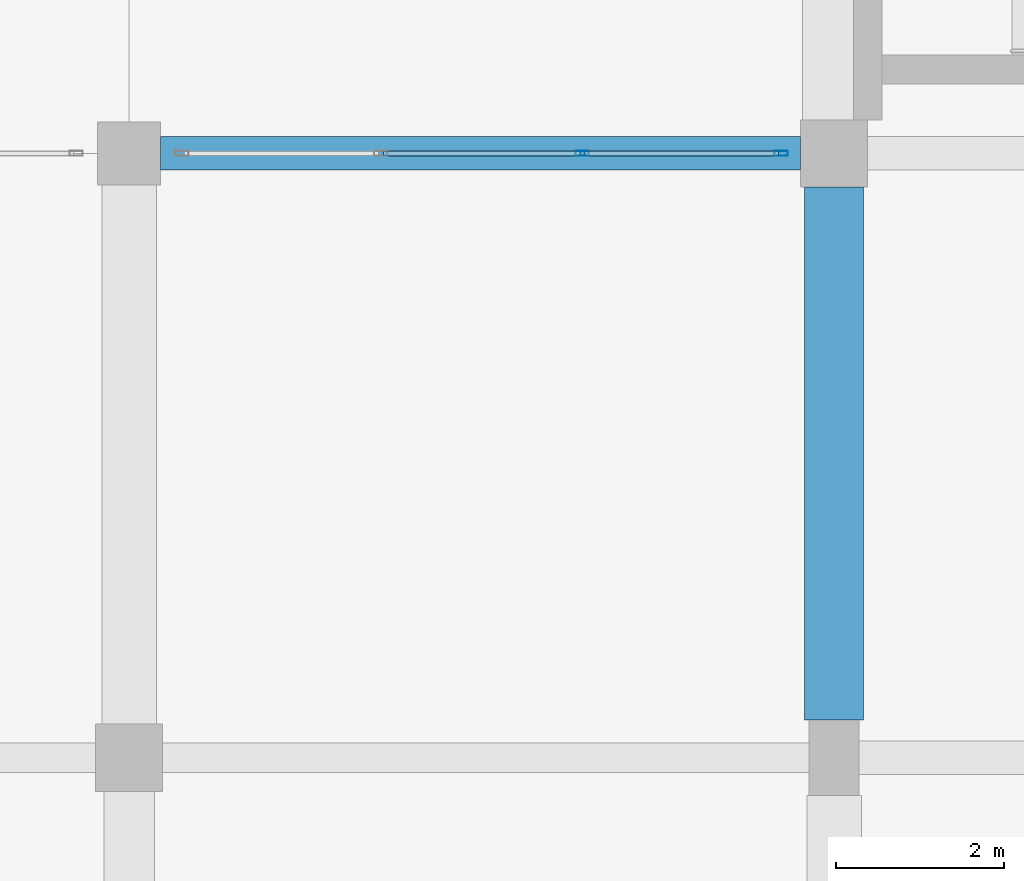
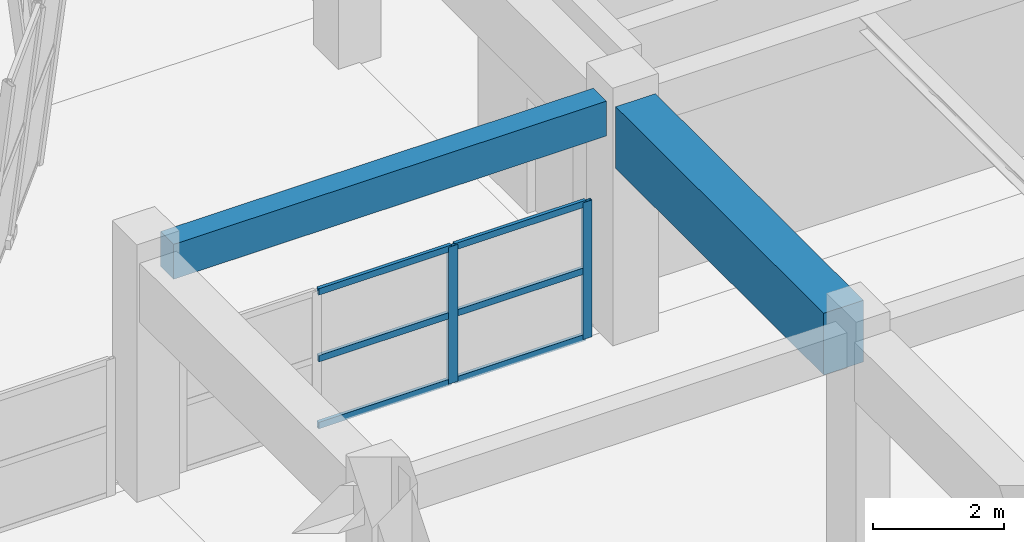
# One storey, part 26 of 72: 8 members, 2 beams, 1 element without a shape of its own.
"""IFC4 building model written with IfcOpenShell, lengths in metres."""

from ifc_helpers import new_model, si_unit, direction, frame, origin, origin_2d, place, context, subcontext, project, spatial, rectangle, hollow_rectangle, extrude, material, material_profile, profile_set, type_object, element, aggregate, save


model = new_model("IFC4")

# Units and contexts
model_context = context("Model", 3, precision=1e-05, world=origin(), true_north=direction((0.0, 1.0)))
body_context = subcontext(model_context, "Body", "Model", "MODEL_VIEW")
ifc_project = project(units=[si_unit("LENGTHUNIT", "METRE"), si_unit("AREAUNIT", "SQUARE_METRE"), si_unit("VOLUMEUNIT", "CUBIC_METRE"), si_unit("PLANEANGLEUNIT", "RADIAN"), si_unit("MASSUNIT", "GRAM", prefix="KILO")], contexts=[model_context])

# Site, building, storey
site_placement = place(None, origin())
site = spatial("IfcSite", under=ifc_project, at=site_placement, CompositionType="ELEMENT")
building_placement = place(site_placement, origin())
building = spatial("IfcBuilding", under=site, at=building_placement, Name="Korsvaeld Concert Hall", CompositionType="ELEMENT")
storey_placement = place(building_placement, origin())
storey = spatial("IfcBuildingStorey", under=building, at=storey_placement, Name="L00", CompositionType="ELEMENT", Elevation=0.0)

# Beams
ifc_material_1 = material(Name="Concrete C35/45", Category="concrete")
ifc_material_profile_1 = material_profile(ifc_material_1, rectangle(XDim=0.39990234375, YDim=0.64990234375, at=origin_2d()), Name="RC 400x650")
ifc_profile_set_1 = profile_set([ifc_material_profile_1], Name="Concrete C35/45")
beam_type_1 = type_object("IfcBeamType", Name="BM-RC-400x650", PredefinedType="T_BEAM", material=ifc_profile_set_1)
beam_1_placement = place(storey_placement, frame((101.175048828125, 43.199951171875, 4.114990234375), z_axis=(1.0, 0.0, 0.0), x_axis=(0.0, 1.0, 0.0)))
element("IfcBeam", 1, at=beam_1_placement, inside=storey, type_object=beam_type_1, Name="Primary girder 14-15/G L00", PredefinedType="T_BEAM", context=body_context, shape_type="SweptSolid", body=[
    extrude(rectangle(XDim=0.39990234375, YDim=0.64990234375, at=origin_2d()), origin(), (0.0, 0.0, 1.0), 7.625),
])
ifc_material_2 = material(Name="Concrete C40/50", Category="concrete")
ifc_material_profile_2 = material_profile(ifc_material_2, rectangle(XDim=0.699951171875, YDim=1.14990234375, at=origin_2d()), Name="RC 700x1150")
ifc_profile_set_2 = profile_set([ifc_material_profile_2], Name="Concrete C40/50")
beam_type_2 = type_object("IfcBeamType", Name="BM-RC-700x1150", PredefinedType="T_BEAM", material=ifc_profile_set_2)
beam_2_placement = place(storey_placement, frame((109.199951171875, 36.449951171875, 3.864990234375), z_axis=(0.0, 1.0, 0.0), x_axis=(-1.0, 0.0, 0.0)))
element("IfcBeam", 2, at=beam_2_placement, inside=storey, type_object=beam_type_2, Name="Primary girder 15/F-G L00", PredefinedType="T_BEAM", context=body_context, shape_type="SweptSolid", body=[
    extrude(rectangle(XDim=0.699951171875, YDim=1.14990234375, at=origin_2d()), origin(), (0.0, 0.0, 1.0), 6.35009765625),
])

# Curtain wall, members
ifc_material_3 = material(Name="Anodised bronze and ceramic-fritted safety glass", Category="glass")
curtain_wall_type = type_object("IfcCurtainWallType", Name="CW-TYPE-08", PredefinedType="USERDEFINED", material=ifc_material_3)
curtain_wall_placement = place(storey_placement, origin())
curtain_wall = element("IfcCurtainWall", 3, at=curtain_wall_placement, inside=storey, type_object=curtain_wall_type, Name="Glazed foyer acoustic screen L00-24", ObjectType="CURTAIN WALL", PredefinedType="USERDEFINED")
ifc_material_4 = material(Name="Anodised architectural bronze aluminium", Category="aluminium")
ifc_material_profile_3 = material_profile(ifc_material_4, hollow_rectangle(XDim=0.06005859375, YDim=0.159912109375, WallThickness=0.00390625, at=origin_2d()), Name="CWM 160x60x4")
ifc_profile_set_3 = profile_set([ifc_material_profile_3], Name="Anodised architectural bronze aluminium")
member_type_1 = type_object("IfcMemberType", Name="CWM-ALUM-160x60", PredefinedType="MULLION", material=ifc_profile_set_3)
member_1_placement = place(storey_placement, frame((106.199951171875, 43.199951171875, 0.0), z_axis=(0.0, 0.0, 1.0), x_axis=(0.0, 1.0, 0.0)))
member_1 = element("IfcMember", 4, at=member_1_placement, type_object=member_type_1, Name="CW-08 mullion 3", PredefinedType="MULLION", context=body_context, shape_type="SweptSolid", body=[
    extrude(hollow_rectangle(XDim=0.06005859375, YDim=0.159912109375, WallThickness=0.00390625, at=origin_2d()), origin(), (0.0, 0.0, 1.0), 2.550048828125),
])
member_2_placement = place(storey_placement, frame((108.570068359375, 43.199951171875, 0.0), z_axis=(0.0, 0.0, 1.0), x_axis=(0.0, 1.0, 0.0)))
member_2 = element("IfcMember", 5, at=member_2_placement, type_object=member_type_1, Name="CW-08 mullion 4", PredefinedType="MULLION", context=body_context, shape_type="SweptSolid", body=[
    extrude(hollow_rectangle(XDim=0.06005859375, YDim=0.159912109375, WallThickness=0.00390625, at=origin_2d()), origin(), (0.0, 0.0, 1.0), 2.550048828125),
])
ifc_material_profile_4 = material_profile(ifc_material_4, hollow_rectangle(XDim=0.06005859375, YDim=0.1201171875, WallThickness=0.00390625, at=origin_2d()), Name="CWT 120x60x4")
ifc_profile_set_4 = profile_set([ifc_material_profile_4], Name="Anodised architectural bronze aluminium")
member_type_2 = type_object("IfcMemberType", Name="CWT-ALUM-120x60", PredefinedType="USERDEFINED", material=ifc_profile_set_4)
member_3_placement = place(storey_placement, frame((103.830078125, 43.199951171875, 0.030029296875), z_axis=(1.0, 0.0, 0.0), x_axis=(0.0, 1.0, 0.0)))
member_3 = element("IfcMember", 6, at=member_3_placement, type_object=member_type_2, Name="CW-08 transom 2.1", ObjectType="TRANSOM", PredefinedType="USERDEFINED", context=body_context, shape_type="SweptSolid", body=[
    extrude(hollow_rectangle(XDim=0.06005859375, YDim=0.1201171875, WallThickness=0.00390625, at=origin_2d()), origin(), (0.0, 0.0, 1.0), 2.33984375),
])
member_4_placement = place(storey_placement, frame((103.830078125, 43.199951171875, 1.27490234375), z_axis=(1.0, 0.0, 0.0), x_axis=(0.0, 1.0, 0.0)))
member_4 = element("IfcMember", 7, at=member_4_placement, type_object=member_type_2, Name="CW-08 transom 2.2", ObjectType="TRANSOM", PredefinedType="USERDEFINED", context=body_context, shape_type="SweptSolid", body=[
    extrude(hollow_rectangle(XDim=0.06005859375, YDim=0.1201171875, WallThickness=0.00390625, at=origin_2d()), origin(), (0.0, 0.0, 1.0), 2.33984375),
])
member_5_placement = place(storey_placement, frame((103.830078125, 43.199951171875, 2.52001953125), z_axis=(1.0, 0.0, 0.0), x_axis=(0.0, 1.0, 0.0)))
member_5 = element("IfcMember", 8, at=member_5_placement, type_object=member_type_2, Name="CW-08 transom 2.3", ObjectType="TRANSOM", PredefinedType="USERDEFINED", context=body_context, shape_type="SweptSolid", body=[
    extrude(hollow_rectangle(XDim=0.06005859375, YDim=0.1201171875, WallThickness=0.00390625, at=origin_2d()), origin(), (0.0, 0.0, 1.0), 2.33984375),
])
member_6_placement = place(storey_placement, frame((106.22998046875, 43.199951171875, 0.030029296875), z_axis=(1.0, 0.0, 0.0), x_axis=(0.0, 1.0, 0.0)))
member_6 = element("IfcMember", 9, at=member_6_placement, type_object=member_type_2, Name="CW-08 transom 3.1", ObjectType="TRANSOM", PredefinedType="USERDEFINED", context=body_context, shape_type="SweptSolid", body=[
    extrude(hollow_rectangle(XDim=0.06005859375, YDim=0.1201171875, WallThickness=0.00390625, at=origin_2d()), origin(), (0.0, 0.0, 1.0), 2.31005859375),
])
member_7_placement = place(storey_placement, frame((106.22998046875, 43.199951171875, 1.27490234375), z_axis=(1.0, 0.0, 0.0), x_axis=(0.0, 1.0, 0.0)))
member_7 = element("IfcMember", 10, at=member_7_placement, type_object=member_type_2, Name="CW-08 transom 3.2", ObjectType="TRANSOM", PredefinedType="USERDEFINED", context=body_context, shape_type="SweptSolid", body=[
    extrude(hollow_rectangle(XDim=0.06005859375, YDim=0.1201171875, WallThickness=0.00390625, at=origin_2d()), origin(), (0.0, 0.0, 1.0), 2.31005859375),
])
member_8_placement = place(storey_placement, frame((106.22998046875, 43.199951171875, 2.52001953125), z_axis=(1.0, 0.0, 0.0), x_axis=(0.0, 1.0, 0.0)))
member_8 = element("IfcMember", 11, at=member_8_placement, type_object=member_type_2, Name="CW-08 transom 3.3", ObjectType="TRANSOM", PredefinedType="USERDEFINED", context=body_context, shape_type="SweptSolid", body=[
    extrude(hollow_rectangle(XDim=0.06005859375, YDim=0.1201171875, WallThickness=0.00390625, at=origin_2d()), origin(), (0.0, 0.0, 1.0), 2.31005859375),
])
aggregate(curtain_wall, [member_1, member_2, member_3, member_4, member_5, member_6, member_7, member_8])

save(model, "model.ifc")
